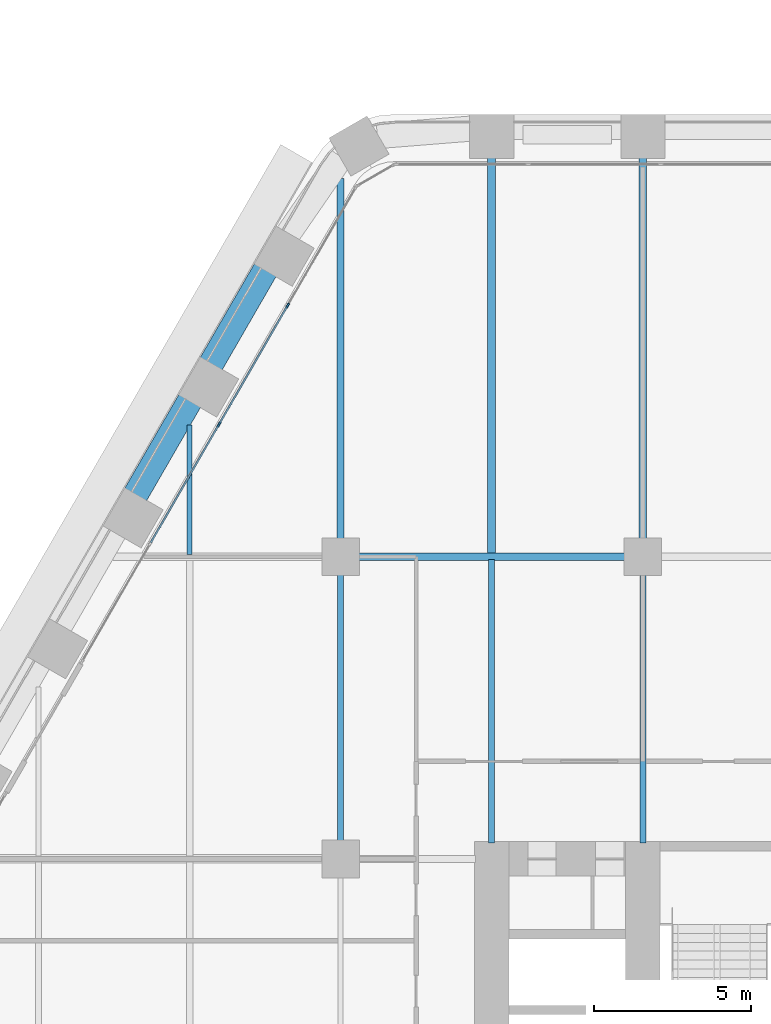
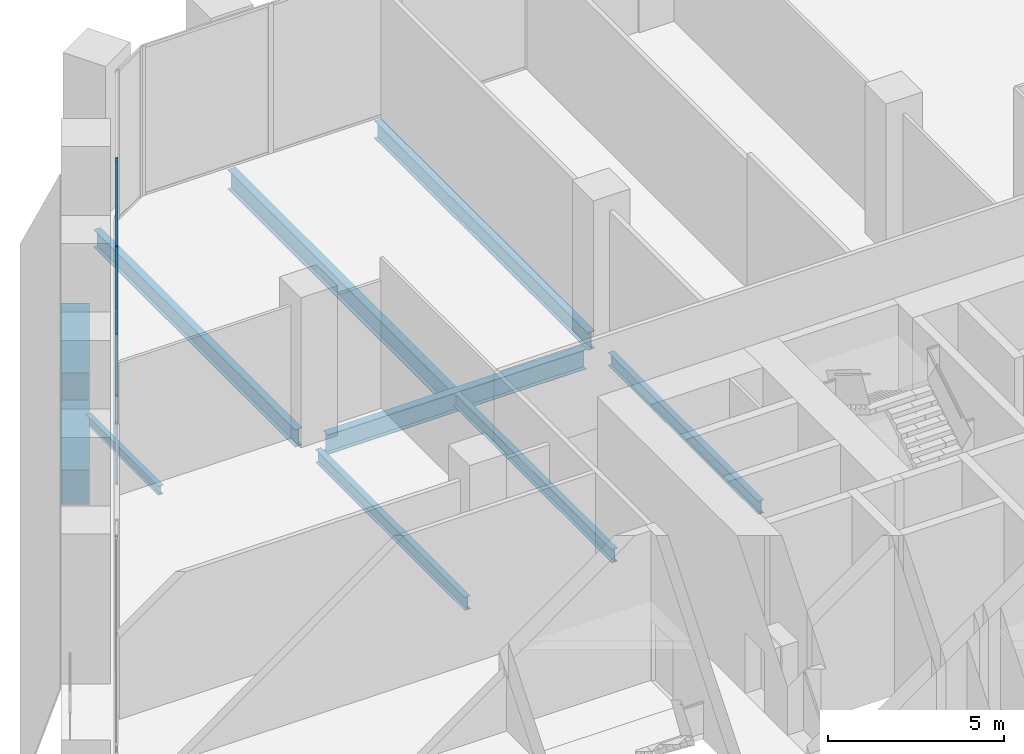
# One storey, part 9 of 32: 10 beams, 6 members, 1 element without a shape of its own.
"""IFC4 building model written with IfcOpenShell, lengths in metres."""

from ifc_helpers import new_model, si_unit, direction, frame, origin, origin_2d, place, context, subcontext, project, spatial, rectangle, i_section, extrude, material, material_profile, profile_set, type_object, element, aggregate, save


model = new_model("IFC4")

# Units and contexts
model_context = context("Model", 3, precision=1e-05, world=origin(), true_north=direction((0.0, 1.0)))
body_context = subcontext(model_context, "Body", "Model", "MODEL_VIEW")
ifc_project = project(units=[si_unit("LENGTHUNIT", "METRE"), si_unit("AREAUNIT", "SQUARE_METRE"), si_unit("VOLUMEUNIT", "CUBIC_METRE"), si_unit("PLANEANGLEUNIT", "RADIAN"), si_unit("MASSUNIT", "GRAM", prefix="KILO")], contexts=[model_context])

# Site, building, storey
site_placement = place(None, origin())
site = spatial("IfcSite", under=ifc_project, at=site_placement, CompositionType="ELEMENT")
building_placement = place(site_placement, origin())
building = spatial("IfcBuilding", under=site, at=building_placement, Name="Kolab Exchange Tower", CompositionType="ELEMENT")
storey_placement = place(building_placement, frame((0.0, 0.0, 60.89990234375)))
storey = spatial("IfcBuildingStorey", under=building, at=storey_placement, Name="L11", CompositionType="ELEMENT", Elevation=60.89990234375)

# Beams
ifc_material_1 = material(Name="Steel S355", Category="steel")
ifc_material_profile_1 = material_profile(ifc_material_1, i_section(OverallWidth=0.1650390625, OverallDepth=0.31005859375, WebThickness=0.005859375, FlangeThickness=0.009765625, at=origin_2d()), Name="W310X39")
ifc_profile_set_1 = profile_set([ifc_material_profile_1], Name="Steel S355")
beam_type_1 = type_object("IfcBeamType", Name="FLOOR BEAM W310X39", PredefinedType="BEAM", material=ifc_profile_set_1)
beam_1_placement = place(storey_placement, frame((-24.0, 19.27392578125, -0.40478515625), z_axis=(0.0, 1.0, 0.0), x_axis=(-1.0, 0.0, 0.0)))
element("IfcBeam", 1, at=beam_1_placement, inside=storey, type_object=beam_type_1, Name="beam/L11/fr/011", PredefinedType="BEAM", context=body_context, shape_type="SweptSolid", body=[
    extrude(i_section(OverallWidth=0.1650390625, OverallDepth=0.31005859375, WebThickness=0.005859375, FlangeThickness=0.009765625, at=origin_2d()), origin(), (0.0, 0.0, 1.0), 4.107666015625),
])
ifc_material_profile_2 = material_profile(ifc_material_1, i_section(OverallWidth=0.18994140625, OverallDepth=0.45703125, WebThickness=0.009033203125, FlangeThickness=0.014404296875, at=origin_2d()), Name="W460X74")
ifc_profile_set_2 = profile_set([ifc_material_profile_2], Name="Steel S355")
beam_type_2 = type_object("IfcBeamType", Name="FLOOR BEAM W460X74", PredefinedType="BEAM", material=ifc_profile_set_2)
beam_2_placement = place(storey_placement, frame((-19.199951171875, 10.159912109375, -0.478515625), z_axis=(0.0, 1.0, 0.0), x_axis=(-1.0, 0.0, 0.0)))
element("IfcBeam", 2, at=beam_2_placement, inside=storey, type_object=beam_type_2, Name="beam/L11/fr/016", PredefinedType="BEAM", context=body_context, shape_type="SweptSolid", body=[
    extrude(i_section(OverallWidth=0.18994140625, OverallDepth=0.45703125, WebThickness=0.009033203125, FlangeThickness=0.014404296875, at=origin_2d()), origin(), (0.0, 0.0, 1.0), 8.47998046875),
])
beam_3_placement = place(storey_placement, frame((-14.39990234375, 10.110107421875, -0.478515625), z_axis=(0.0, 1.0, 0.0), x_axis=(-1.0, 0.0, 0.0)))
element("IfcBeam", 3, at=beam_3_placement, inside=storey, type_object=beam_type_2, Name="beam/L11/fr/020", PredefinedType="BEAM", context=body_context, shape_type="SweptSolid", body=[
    extrude(i_section(OverallWidth=0.18994140625, OverallDepth=0.45703125, WebThickness=0.009033203125, FlangeThickness=0.014404296875, at=origin_2d()), origin(), (0.0, 0.0, 1.0), 9.0029296875),
])
beam_4_placement = place(storey_placement, frame((-9.60009765625, 10.110107421875, -0.478515625), z_axis=(0.0, 1.0, 0.0), x_axis=(-1.0, 0.0, 0.0)))
element("IfcBeam", 4, at=beam_4_placement, inside=storey, type_object=beam_type_2, Name="beam/L11/fr/024", PredefinedType="BEAM", context=body_context, shape_type="SweptSolid", body=[
    extrude(i_section(OverallWidth=0.18994140625, OverallDepth=0.45703125, WebThickness=0.009033203125, FlangeThickness=0.014404296875, at=origin_2d()), origin(), (0.0, 0.0, 1.0), 8.52978515625),
])
ifc_material_profile_3 = material_profile(ifc_material_1, i_section(OverallWidth=0.22802734375, OverallDepth=0.60791015625, WebThickness=0.01123046875, FlangeThickness=0.017333984375, at=origin_2d()), Name="W610X113")
ifc_profile_set_3 = profile_set([ifc_material_profile_3], Name="Steel S355")
beam_type_3 = type_object("IfcBeamType", Name="FLOOR BEAM W610X113", PredefinedType="BEAM", material=ifc_profile_set_3)
beam_5_placement = place(storey_placement, frame((-19.199951171875, 19.760009765625, -0.553955078125), z_axis=(0.0, 1.0, 0.0), x_axis=(-1.0, 0.0, 0.0)))
element("IfcBeam", 5, at=beam_5_placement, inside=storey, type_object=beam_type_3, Name="beam/L11/fr/017", PredefinedType="BEAM", context=body_context, shape_type="SweptSolid", body=[
    extrude(i_section(OverallWidth=0.22802734375, OverallDepth=0.60791015625, WebThickness=0.01123046875, FlangeThickness=0.017333984375, at=origin_2d()), origin(), (0.0, 0.0, 1.0), 11.45458984375),
])
beam_6_placement = place(storey_placement, frame((-9.60009765625, 19.760009765625, -0.553955078125), z_axis=(0.0, 1.0, 0.0), x_axis=(-1.0, 0.0, 0.0)))
element("IfcBeam", 6, at=beam_6_placement, inside=storey, type_object=beam_type_3, Name="beam/L11/fr/025", PredefinedType="BEAM", context=body_context, shape_type="SweptSolid", body=[
    extrude(i_section(OverallWidth=0.22802734375, OverallDepth=0.60791015625, WebThickness=0.01123046875, FlangeThickness=0.017333984375, at=origin_2d()), origin(), (0.0, 0.0, 1.0), 12.135498046875),
])
ifc_material_profile_4 = material_profile(ifc_material_1, i_section(OverallWidth=0.25390625, OverallDepth=0.68408203125, WebThickness=0.012451171875, FlangeThickness=0.018798828125, at=origin_2d()), Name="W690X140")
ifc_profile_set_4 = profile_set([ifc_material_profile_4], Name="Steel S355")
beam_type_4 = type_object("IfcBeamType", Name="FLOOR BEAM W690X140", PredefinedType="BEAM", material=ifc_profile_set_4)
beam_7_placement = place(storey_placement, frame((-14.39990234375, 19.287109375, -0.591796875), z_axis=(0.0, 1.0, 0.0), x_axis=(-1.0, 0.0, 0.0)))
element("IfcBeam", 7, at=beam_7_placement, inside=storey, type_object=beam_type_4, Name="beam/L11/fr/021", PredefinedType="BEAM", context=body_context, shape_type="SweptSolid", body=[
    extrude(i_section(OverallWidth=0.25390625, OverallDepth=0.68408203125, WebThickness=0.012451171875, FlangeThickness=0.018798828125, at=origin_2d()), origin(), (0.0, 0.0, 1.0), 12.6083984375),
])
ifc_material_profile_5 = material_profile(ifc_material_1, i_section(OverallWidth=0.25390625, OverallDepth=0.68408203125, WebThickness=0.012451171875, FlangeThickness=0.018798828125, at=origin_2d()), Name="W690X140")
ifc_profile_set_5 = profile_set([ifc_material_profile_5], Name="Steel S355")
beam_type_5 = type_object("IfcBeamType", Name="FLOOR GIRDER W690X140", PredefinedType="BEAM", material=ifc_profile_set_5)
beam_8_placement = place(storey_placement, frame((-18.639892578125, 19.199951171875, -0.591796875), z_axis=(1.0, 0.0, 0.0), x_axis=(0.0, 1.0, 0.0)))
element("IfcBeam", 8, at=beam_8_placement, inside=storey, type_object=beam_type_5, Name="beam/L11/gd/009", PredefinedType="BEAM", context=body_context, shape_type="SweptSolid", body=[
    extrude(i_section(OverallWidth=0.25390625, OverallDepth=0.68408203125, WebThickness=0.012451171875, FlangeThickness=0.018798828125, at=origin_2d()), origin(), (0.0, 0.0, 1.0), 8.47998046875),
])
ifc_material_2 = material(Name="Concrete C80/95", Category="concrete")
ifc_material_profile_6 = material_profile(ifc_material_2, rectangle(XDim=0.800048828125, YDim=1.199951171875, at=origin_2d()), Name="RC800X1200")
ifc_profile_set_6 = profile_set([ifc_material_profile_6], Name="Concrete C80/95")
beam_type_6 = type_object("IfcBeamType", Name="SPANDREL BEAM 800X1200 C80/95", PredefinedType="BEAM", material=ifc_profile_set_6)
beam_9_placement = place(storey_placement, frame((-25.7236328125, 21.15625, -0.849853515625), z_axis=(0.500009906705, 0.86601968407, 0.0), x_axis=(-0.86601968407, 0.500009906705, 0.0)))
element("IfcBeam", 9, at=beam_9_placement, inside=storey, type_object=beam_type_6, Name="beam/L11/sp/F6-06", PredefinedType="BEAM", context=body_context, shape_type="SweptSolid", body=[
    extrude(rectangle(XDim=0.800048828125, YDim=1.199951171875, at=origin_2d()), origin(), (0.0, 0.0, 1.0), 3.47998046875),
])
beam_10_placement = place(storey_placement, frame((-23.323486328125, 25.31298828125, -0.849853515625), z_axis=(0.499979528911, 0.866037222451, 0.0), x_axis=(-0.866037222451, 0.499979528911, 0.0)))
element("IfcBeam", 10, at=beam_10_placement, inside=storey, type_object=beam_type_6, Name="beam/L11/sp/F6-07", PredefinedType="BEAM", context=body_context, shape_type="SweptSolid", body=[
    extrude(rectangle(XDim=0.800048828125, YDim=1.199951171875, at=origin_2d()), origin(), (0.0, 0.0, 1.0), 3.480224609375),
])

# Curtain wall, members
ifc_material_3 = material(Name="Aluminium EN AW-6063 T6", Category="aluminium")
curtain_wall_type = type_object("IfcCurtainWallType", Name="UNITISED LOW ZONE CURTAIN WALL", PredefinedType="NOTDEFINED", material=ifc_material_3)
curtain_wall_placement = place(storey_placement, origin())
curtain_wall = element("IfcCurtainWall", 11, at=curtain_wall_placement, inside=storey, type_object=curtain_wall_type, Name="cw/L11/F6-2", PredefinedType="NOTDEFINED")
ifc_material_profile_7 = material_profile(ifc_material_3, rectangle(XDim=0.06005859375, YDim=0.159912109375, at=origin_2d()), Name="RECT 60X160")
ifc_profile_set_7 = profile_set([ifc_material_profile_7], Name="Aluminium EN AW-6063 T6")
member_type_1 = type_object("IfcMemberType", Name="UNITISED LOW ZONE MULLION 60 X 160", PredefinedType="MULLION", material=ifc_profile_set_7)
member_1_placement = place(storey_placement, frame((-23.064697265625, 23.401611328125, 0.0), z_axis=(0.0, 0.0, 1.0), x_axis=(-0.866025397318, 0.5000000112, 0.0)))
member_1 = element("IfcMember", 12, at=member_1_placement, type_object=member_type_1, Name="CW1 mullion 3", PredefinedType="MULLION", context=body_context, shape_type="SweptSolid", body=[
    extrude(rectangle(XDim=0.06005859375, YDim=0.159912109375, at=origin_2d()), origin(), (0.0, 0.0, 1.0), 5.2001953125),
])
member_2_placement = place(storey_placement, frame((-20.881103515625, 27.183349609375, 0.0), z_axis=(0.0, 0.0, 1.0), x_axis=(-0.866025397318, 0.5000000112, 0.0)))
member_2 = element("IfcMember", 13, at=member_2_placement, type_object=member_type_1, Name="CW1 mullion 4", PredefinedType="MULLION", context=body_context, shape_type="SweptSolid", body=[
    extrude(rectangle(XDim=0.06005859375, YDim=0.159912109375, at=origin_2d()), origin(), (0.0, 0.0, 1.0), 5.2001953125),
])
ifc_material_profile_8 = material_profile(ifc_material_3, rectangle(XDim=0.06005859375, YDim=0.10009765625, at=origin_2d()), Name="RECT 60X100")
ifc_profile_set_8 = profile_set([ifc_material_profile_8], Name="Aluminium EN AW-6063 T6")
member_type_2 = type_object("IfcMemberType", Name="UNITISED LOW ZONE TRANSOM 60 X 100", PredefinedType="USERDEFINED", material=ifc_profile_set_8)
member_3_placement = place(storey_placement, frame((-25.233154296875, 19.6455078125, 0.030029296875), z_axis=(0.500010313095, 0.866019449435, 0.0), x_axis=(-0.866019449435, 0.500010313095, 0.0)))
member_3 = element("IfcMember", 14, at=member_3_placement, type_object=member_type_2, Name="CW1 transom 2.1", ObjectType="TRANSOM", PredefinedType="USERDEFINED", context=body_context, shape_type="SweptSolid", body=[
    extrude(rectangle(XDim=0.06005859375, YDim=0.10009765625, at=origin_2d()), origin(), (0.0, 0.0, 1.0), 4.30712890625),
])
member_4_placement = place(storey_placement, frame((-25.233154296875, 19.6455078125, 5.170166015625), z_axis=(0.500010313095, 0.866019449435, 0.0), x_axis=(-0.866019449435, 0.500010313095, 0.0)))
member_4 = element("IfcMember", 15, at=member_4_placement, type_object=member_type_2, Name="CW1 transom 2.2", ObjectType="TRANSOM", PredefinedType="USERDEFINED", context=body_context, shape_type="SweptSolid", body=[
    extrude(rectangle(XDim=0.06005859375, YDim=0.10009765625, at=origin_2d()), origin(), (0.0, 0.0, 1.0), 4.30712890625),
])
member_5_placement = place(storey_placement, frame((-23.0498046875, 23.427490234375, 0.030029296875), z_axis=(0.500010313095, 0.866019449435, 0.0), x_axis=(-0.866019449435, 0.500010313095, 0.0)))
member_5 = element("IfcMember", 16, at=member_5_placement, type_object=member_type_2, Name="CW1 transom 3.1", ObjectType="TRANSOM", PredefinedType="USERDEFINED", context=body_context, shape_type="SweptSolid", body=[
    extrude(rectangle(XDim=0.06005859375, YDim=0.10009765625, at=origin_2d()), origin(), (0.0, 0.0, 1.0), 4.30712890625),
])
member_6_placement = place(storey_placement, frame((-23.0498046875, 23.427490234375, 5.170166015625), z_axis=(0.500010313095, 0.866019449435, 0.0), x_axis=(-0.866019449435, 0.500010313095, 0.0)))
member_6 = element("IfcMember", 17, at=member_6_placement, type_object=member_type_2, Name="CW1 transom 3.2", ObjectType="TRANSOM", PredefinedType="USERDEFINED", context=body_context, shape_type="SweptSolid", body=[
    extrude(rectangle(XDim=0.06005859375, YDim=0.10009765625, at=origin_2d()), origin(), (0.0, 0.0, 1.0), 4.30712890625),
])
aggregate(curtain_wall, [member_1, member_2, member_3, member_4, member_5, member_6])

save(model, "model.ifc")
